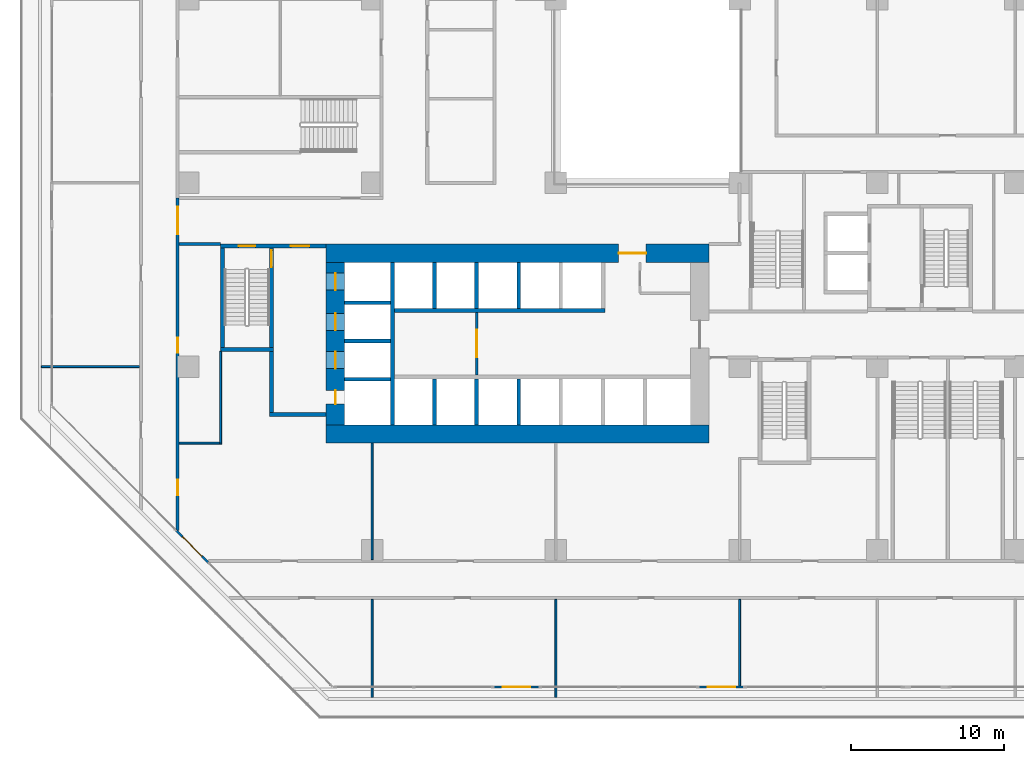
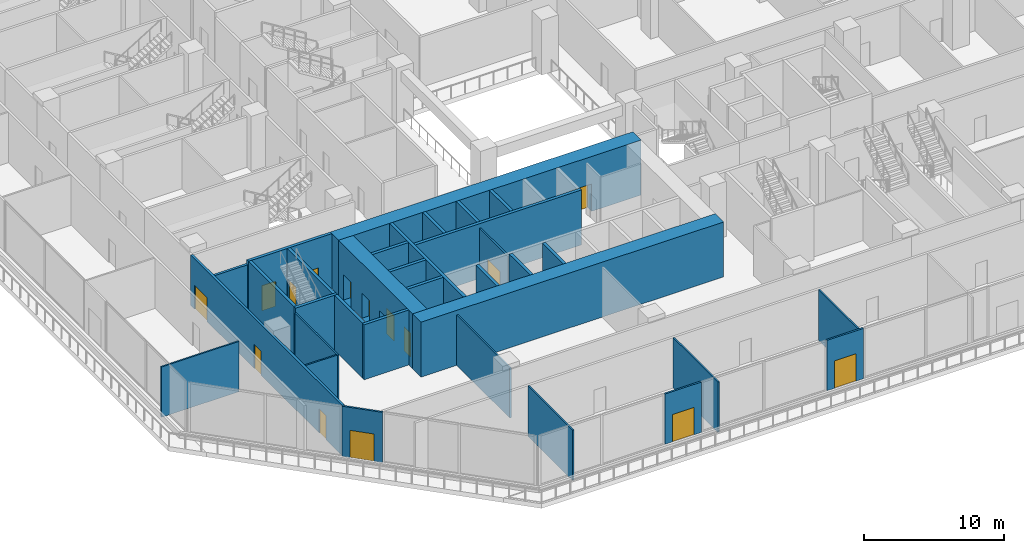
# One storey, part 12 of 26: 33 walls, 15 doors, 15 openings.
"""IFC4 building model written with IfcOpenShell, lengths in metres."""

from ifc_helpers import new_model, si_unit, direction, frame, frame_2d, origin, place, context, subcontext, project, spatial, rectangle, extrude, material, layer, layer_set, type_object, element, fill, save


model = new_model("IFC4")

# Units and contexts
model_context = context("Model", 3, precision=1e-05, world=origin(), true_north=direction((0.0, 1.0)))
body_context = subcontext(model_context, "Body", "Model", "MODEL_VIEW")
ifc_project = project(units=[si_unit("LENGTHUNIT", "METRE"), si_unit("AREAUNIT", "SQUARE_METRE"), si_unit("VOLUMEUNIT", "CUBIC_METRE"), si_unit("PLANEANGLEUNIT", "RADIAN"), si_unit("MASSUNIT", "GRAM", prefix="KILO")], contexts=[model_context])

# Site, building, storey
site_placement = place(None, origin())
site = spatial("IfcSite", under=ifc_project, at=site_placement, CompositionType="ELEMENT")
building_placement = place(site_placement, origin())
building = spatial("IfcBuilding", under=site, at=building_placement, Name="Chenar Terraces", CompositionType="ELEMENT")
storey_placement = place(building_placement, frame((0.0, 0.0, 16.800048828125)))
storey = spatial("IfcBuildingStorey", under=building, at=storey_placement, Name="L03", CompositionType="ELEMENT", Elevation=16.800048828125)

# Walls
ifc_material_1 = material(Name="Gypsum board on steel studs with mineral wool", Category="steel")
ifc_layer_1 = layer(ifc_material_1, 0.125)
ifc_layer_set_1 = layer_set([ifc_layer_1], Name="Gypsum board on steel studs with mineral wool")
wall_type_1 = type_object("IfcWallType", Name="Acoustic partition 125", PredefinedType="PARTITIONING", material=ifc_layer_set_1)
wall_1_placement = place(storey_placement, frame((-9.60009765625, 12.0, 0.0), z_axis=(0.0, 0.0, 1.0), x_axis=(1.0, 0.0, 0.0)))
element("IfcWall", 1, at=wall_1_placement, inside=storey, type_object=wall_type_1, Name="Partition L03-001", PredefinedType="PARTITIONING", context=body_context, shape_type="SweptSolid", body=[
    extrude(rectangle(XDim=6.400146484375, YDim=0.125, at=frame_2d((3.2001953125, 0.0))), origin(), (0.0, 0.0, 1.0), 4.39990234375),
])
wall_2_placement = place(storey_placement, frame((-0.60009765625, 7.0, 0.0), z_axis=(0.0, 0.0, 1.0), x_axis=(1.0, 0.0, 0.0)))
element("IfcWall", 2, at=wall_2_placement, inside=storey, type_object=wall_type_1, Name="Partition L03-019", PredefinedType="PARTITIONING", context=body_context, shape_type="SweptSolid", body=[
    extrude(rectangle(XDim=2.63818359375, YDim=0.125, at=frame_2d((1.319091796875, 0.0))), origin(), (0.0, 0.0, 1.0), 4.39990234375),
])
wall_3_placement = place(storey_placement, frame((2.10009765625, 6.93798828125, 0.0), z_axis=(0.0, 0.0, 1.0), x_axis=(0.0, 1.0, 0.0)))
element("IfcWall", 3, at=wall_3_placement, inside=storey, type_object=wall_type_1, Name="Partition L03-031", PredefinedType="PARTITIONING", context=body_context, shape_type="SweptSolid", body=[
    extrude(rectangle(XDim=6.06201171875, YDim=0.125, at=frame_2d((3.031005859375, 0.0))), origin(), (0.0, 0.0, 1.0), 4.39990234375),
])
wall_4_placement = place(storey_placement, frame((12.0, -9.60009765625, 0.0), z_axis=(0.0, 0.0, 1.0), x_axis=(0.0, 1.0, 0.0)))
element("IfcWall", 4, at=wall_4_placement, inside=storey, type_object=wall_type_1, Name="Partition L03-038", PredefinedType="PARTITIONING", context=body_context, shape_type="SweptSolid", body=[
    extrude(rectangle(XDim=6.400146484375, YDim=0.125, at=frame_2d((3.2001953125, 0.0))), origin(), (0.0, 0.0, 1.0), 4.39990234375),
])
wall_5_placement = place(storey_placement, frame((12.0, -0.60009765625, 0.0), z_axis=(0.0, 0.0, 1.0), x_axis=(0.0, 1.0, 0.0)))
element("IfcWall", 5, at=wall_5_placement, inside=storey, type_object=wall_type_1, Name="Partition L03-039", PredefinedType="PARTITIONING", context=body_context, shape_type="SweptSolid", body=[
    extrude(rectangle(XDim=7.60009765625, YDim=0.125, at=frame_2d((3.800048828125, 0.0))), origin(), (0.0, 0.0, 1.0), 4.39990234375),
])
wall_6_placement = place(storey_placement, frame((24.0, -9.60009765625, 0.0), z_axis=(0.0, 0.0, 1.0), x_axis=(0.0, 1.0, 0.0)))
element("IfcWall", 6, at=wall_6_placement, inside=storey, type_object=wall_type_1, Name="Partition L03-065", PredefinedType="PARTITIONING", context=body_context, shape_type="SweptSolid", body=[
    extrude(rectangle(XDim=6.400146484375, YDim=0.125, at=frame_2d((3.2001953125, 0.0))), origin(), (0.0, 0.0, 1.0), 4.39990234375),
])
wall_7_placement = place(storey_placement, frame((36.0, -8.85107421875, 0.0), z_axis=(0.0, 0.0, 1.0), x_axis=(0.0, 1.0, 0.0)))
element("IfcWall", 7, at=wall_7_placement, inside=storey, type_object=wall_type_1, Name="Partition L03-076", PredefinedType="PARTITIONING", context=body_context, shape_type="SweptSolid", body=[
    extrude(rectangle(XDim=5.651123046875, YDim=0.125, at=frame_2d((2.82568359375, 0.0))), origin(), (0.0, 0.0, 1.0), 4.39990234375),
])

# Wall, opening, door
ifc_material_2 = material(Name="Gypsum board on steel studs", Category="steel")
ifc_layer_2 = layer(ifc_material_2, 0.14990234375)
ifc_layer_set_2 = layer_set([ifc_layer_2], Name="Gypsum board on steel studs")
wall_type_2 = type_object("IfcWallType", Name="Core partition 150 gypsum board", PredefinedType="PARTITIONING", material=ifc_layer_set_2)
wall_8_placement = place(storey_placement, frame((18.824951171875, 11.449951171875, 0.0), z_axis=(0.0, 0.0, 1.0), x_axis=(0.0, 1.0, 0.0)))
wall_8 = element("IfcWall", 8, at=wall_8_placement, inside=storey, type_object=wall_type_2, Name="Core partition CP1 lift lobby smoke stop", PredefinedType="PARTITIONING", context=body_context, shape_type="SweptSolid", body=[
    extrude(rectangle(XDim=4.10009765625, YDim=0.14990234375, at=frame_2d((2.050048828125, 0.0))), origin(), (0.0, 0.0, 1.0), 4.39990234375),
])
opening_1_placement = place(wall_8_placement, frame((1.14990234375, 0.0, 0.0)))
opening_1 = element("IfcOpeningElement", 9, at=opening_1_placement, cuts=wall_8, Name="Opening DL03-C12", PredefinedType="OPENING", context=body_context, shape_type="SweptSolid", body=[
    extrude(rectangle(XDim=1.800048828125, YDim=2.39990234375, at=frame_2d((0.89990234375, 1.199951171875))), frame((0.0, 0.0849609375, 0.0), z_axis=(0.0, -1.0, 0.0), x_axis=(1.0, 0.0, 0.0)), (0.0, 0.0, 1.0), 0.169921875),
])
ifc_material_3 = material(Name="Steel-framed fire-resisting door leaf", Category="steel")
door_type_1 = type_object("IfcDoorType", Name="Core entrance double fire door FD60 1800 x 2400", OperationType="DOUBLE_DOOR_SINGLE_SWING", PredefinedType="DOOR", material=ifc_material_3)
door_1_placement = place(opening_1_placement, origin())
door_1 = element("IfcDoor", 10, at=door_1_placement, inside=storey, type_object=door_type_1, Name="Core door DL03-C12", OperationType="DOUBLE_DOOR_SINGLE_SWING", OverallHeight=2.39990234375, OverallWidth=1.800048828125, PredefinedType="DOOR", context=body_context, shape_type="SweptSolid", body=[
    extrude(rectangle(XDim=1.800048828125, YDim=2.39990234375, at=frame_2d((0.89990234375, 1.199951171875))), frame((0.0, 0.02490234375, 0.0), z_axis=(0.0, -1.0, 0.0), x_axis=(1.0, 0.0, 0.0)), (0.0, 0.0, 1.0), 0.050048828125),
])
fill(opening_1, door_1)

# Wall
ifc_material_4 = material(Name="Concrete C70/85", Category="concrete")
ifc_layer_3 = layer(ifc_material_4, 1.199951171875)
ifc_layer_set_3 = layer_set([ifc_layer_3], Name="Concrete C70/85")
wall_type_3 = type_object("IfcWallType", Name="Core wall 1200 Concrete C70/85", PredefinedType="SHEAR", material=ifc_layer_set_3)
wall_9_placement = place(storey_placement, frame((9.0, 7.60009765625, 0.0), z_axis=(0.0, 0.0, 1.0), x_axis=(1.0, 0.0, 0.0)))
element("IfcWall", 11, at=wall_9_placement, inside=storey, type_object=wall_type_3, Name="Core wall S L03", PredefinedType="SHEAR", context=body_context, shape_type="SweptSolid", body=[
    extrude(rectangle(XDim=25.0, YDim=1.199951171875, at=frame_2d((12.5, 0.0))), origin(), (0.0, 0.0, 1.0), 4.800048828125),
])

# Wall, opening, door
wall_10_placement = place(storey_placement, frame((9.0, 19.39990234375, 0.0), z_axis=(0.0, 0.0, 1.0), x_axis=(1.0, 0.0, 0.0)))
wall_10 = element("IfcWall", 12, at=wall_10_placement, inside=storey, type_object=wall_type_3, Name="Core wall N L03", PredefinedType="SHEAR", context=body_context, shape_type="SweptSolid", body=[
    extrude(rectangle(XDim=25.0, YDim=1.199951171875, at=frame_2d((12.5, 0.0))), origin(), (0.0, 0.0, 1.0), 4.800048828125),
])
opening_2_placement = place(wall_10_placement, frame((19.10009765625, 0.0, 0.0)))
opening_2 = element("IfcOpeningElement", 13, at=opening_2_placement, cuts=wall_10, Name="Opening DL03-C2", PredefinedType="OPENING", context=body_context, shape_type="SweptSolid", body=[
    extrude(rectangle(XDim=1.800048828125, YDim=2.39990234375, at=frame_2d((0.89990234375, 1.199951171875))), frame((0.0, 0.60986328125, 0.0), z_axis=(0.0, -1.0, 0.0), x_axis=(1.0, 0.0, 0.0)), (0.0, 0.0, 1.0), 1.219970703125),
])
door_2_placement = place(opening_2_placement, origin())
door_2 = element("IfcDoor", 14, at=door_2_placement, inside=storey, type_object=door_type_1, Name="Core door DL03-C2", OperationType="DOUBLE_DOOR_SINGLE_SWING", OverallHeight=2.39990234375, OverallWidth=1.800048828125, PredefinedType="DOOR", context=body_context, shape_type="SweptSolid", body=[
    extrude(rectangle(XDim=1.800048828125, YDim=2.39990234375, at=frame_2d((0.89990234375, 1.199951171875))), frame((0.0, 0.02490234375, 0.0), z_axis=(0.0, -1.0, 0.0), x_axis=(1.0, 0.0, 0.0)), (0.0, 0.0, 1.0), 0.050048828125),
])
fill(opening_2, door_2)

# Wall, openings, doors
wall_11_placement = place(storey_placement, frame((9.60009765625, 8.199951171875, 0.0), z_axis=(0.0, 0.0, 1.0), x_axis=(0.0, 1.0, 0.0)))
wall_11 = element("IfcWall", 15, at=wall_11_placement, inside=storey, type_object=wall_type_3, Name="Core wall W L03", PredefinedType="SHEAR", context=body_context, shape_type="SweptSolid", body=[
    extrude(rectangle(XDim=10.60009765625, YDim=1.199951171875, at=frame_2d((5.300048828125, 0.0))), origin(), (0.0, 0.0, 1.0), 4.800048828125),
])
opening_3_placement = place(wall_11_placement, frame((3.675048828125, 0.0, 0.0)))
opening_3 = element("IfcOpeningElement", 16, at=opening_3_placement, cuts=wall_11, Name="Opening DL03-LD1", PredefinedType="OPENING", context=body_context, shape_type="SweptSolid", body=[
    extrude(rectangle(XDim=1.10009765625, YDim=2.199951171875, at=frame_2d((0.550048828125, 1.10009765625))), frame((0.0, 0.60986328125, 0.0), z_axis=(0.0, -1.0, 0.0), x_axis=(1.0, 0.0, 0.0)), (0.0, 0.0, 1.0), 1.219970703125),
])
opening_4_placement = place(wall_11_placement, frame((6.175048828125, 0.0, 0.0)))
opening_4 = element("IfcOpeningElement", 17, at=opening_4_placement, cuts=wall_11, Name="Opening DL03-LD2", PredefinedType="OPENING", context=body_context, shape_type="SweptSolid", body=[
    extrude(rectangle(XDim=1.10009765625, YDim=2.199951171875, at=frame_2d((0.550048828125, 1.10009765625))), frame((0.0, 0.60986328125, 0.0), z_axis=(0.0, -1.0, 0.0), x_axis=(1.0, 0.0, 0.0)), (0.0, 0.0, 1.0), 1.219970703125),
])
opening_5_placement = place(wall_11_placement, frame((8.800048828125, 0.0, 0.0)))
opening_5 = element("IfcOpeningElement", 18, at=opening_5_placement, cuts=wall_11, Name="Opening DL03-LD3", PredefinedType="OPENING", context=body_context, shape_type="SweptSolid", body=[
    extrude(rectangle(XDim=1.10009765625, YDim=2.199951171875, at=frame_2d((0.550048828125, 1.10009765625))), frame((0.0, 0.60986328125, 0.0), z_axis=(0.0, -1.0, 0.0), x_axis=(1.0, 0.0, 0.0)), (0.0, 0.0, 1.0), 1.219970703125),
])
opening_6_placement = place(wall_11_placement, frame((1.35009765625, 0.0, 0.0)))
opening_6 = element("IfcOpeningElement", 19, at=opening_6_placement, cuts=wall_11, Name="Opening DL03-C4", PredefinedType="OPENING", context=body_context, shape_type="SweptSolid", body=[
    extrude(rectangle(XDim=0.89990234375, YDim=2.10009765625, at=frame_2d((0.449951171875, 1.050048828125))), frame((0.0, 0.60986328125, 0.0), z_axis=(0.0, -1.0, 0.0), x_axis=(1.0, 0.0, 0.0)), (0.0, 0.0, 1.0), 1.219970703125),
])
ifc_material_5 = material(Name="Stainless steel", Category="steel")
door_type_2 = type_object("IfcDoorType", Name="Lift landing door 1100 x 2200 sliding", OperationType="DOUBLE_DOOR_SLIDING", PredefinedType="DOOR", material=ifc_material_5)
door_3_placement = place(opening_3_placement, origin())
door_3 = element("IfcDoor", 20, at=door_3_placement, inside=storey, type_object=door_type_2, Name="Landing door S1", OperationType="DOUBLE_DOOR_SLIDING", OverallHeight=2.199951171875, OverallWidth=1.10009765625, PredefinedType="DOOR", context=body_context, shape_type="SweptSolid", body=[
    extrude(rectangle(XDim=1.10009765625, YDim=2.199951171875, at=frame_2d((0.550048828125, 1.10009765625))), frame((0.0, 0.02490234375, 0.0), z_axis=(0.0, -1.0, 0.0), x_axis=(1.0, 0.0, 0.0)), (0.0, 0.0, 1.0), 0.050048828125),
])
fill(opening_3, door_3)
door_4_placement = place(opening_4_placement, origin())
door_4 = element("IfcDoor", 21, at=door_4_placement, inside=storey, type_object=door_type_2, Name="Landing door F1", OperationType="DOUBLE_DOOR_SLIDING", OverallHeight=2.199951171875, OverallWidth=1.10009765625, PredefinedType="DOOR", context=body_context, shape_type="SweptSolid", body=[
    extrude(rectangle(XDim=1.10009765625, YDim=2.199951171875, at=frame_2d((0.550048828125, 1.10009765625))), frame((0.0, 0.02490234375, 0.0), z_axis=(0.0, -1.0, 0.0), x_axis=(1.0, 0.0, 0.0)), (0.0, 0.0, 1.0), 0.050048828125),
])
fill(opening_4, door_4)
door_5_placement = place(opening_5_placement, origin())
door_5 = element("IfcDoor", 22, at=door_5_placement, inside=storey, type_object=door_type_2, Name="Landing door F2", OperationType="DOUBLE_DOOR_SLIDING", OverallHeight=2.199951171875, OverallWidth=1.10009765625, PredefinedType="DOOR", context=body_context, shape_type="SweptSolid", body=[
    extrude(rectangle(XDim=1.10009765625, YDim=2.199951171875, at=frame_2d((0.550048828125, 1.10009765625))), frame((0.0, 0.02490234375, 0.0), z_axis=(0.0, -1.0, 0.0), x_axis=(1.0, 0.0, 0.0)), (0.0, 0.0, 1.0), 0.050048828125),
])
fill(opening_5, door_5)
ifc_material_6 = material(Name="Steel-framed fire-resisting door leaf", Category="steel")
door_type_3 = type_object("IfcDoorType", Name="Riser fire door FD60 900 x 2100", OperationType="SINGLE_SWING_LEFT", PredefinedType="DOOR", material=ifc_material_6)
door_6_placement = place(opening_6_placement, frame((0.89990234375, 0.0, 0.0), z_axis=(0.0, 0.0, 1.0), x_axis=(-1.0, 0.0, 0.0)))
door_6 = element("IfcDoor", 23, at=door_6_placement, inside=storey, type_object=door_type_3, Name="Riser door DL03-C4", OperationType="SINGLE_SWING_RIGHT", OverallHeight=2.10009765625, OverallWidth=0.89990234375, PredefinedType="DOOR", context=body_context, shape_type="SweptSolid", body=[
    extrude(rectangle(XDim=0.89990234375, YDim=2.10009765625, at=frame_2d((0.449951171875, 1.050048828125))), frame((0.0, 0.02490234375, 0.0), z_axis=(0.0, -1.0, 0.0), x_axis=(1.0, 0.0, 0.0)), (0.0, 0.0, 1.0), 0.050048828125),
])
fill(opening_6, door_6)

# Walls
ifc_material_7 = material(Name="Concrete C70/85", Category="concrete")
ifc_layer_4 = layer(ifc_material_7, 0.25)
ifc_layer_set_4 = layer_set([ifc_layer_4], Name="Concrete C70/85")
wall_type_4 = type_object("IfcWallType", Name="Core wall 250 Concrete C70/85", PredefinedType="SHEAR", material=ifc_layer_set_4)
wall_12_placement = place(storey_placement, frame((13.324951171875, 8.199951171875, 0.0), z_axis=(0.0, 0.0, 1.0), x_axis=(0.0, 1.0, 0.0)))
element("IfcWall", 24, at=wall_12_placement, inside=storey, type_object=wall_type_4, Name="Core wall WI L03", PredefinedType="SHEAR", context=body_context, shape_type="SweptSolid", body=[
    extrude(rectangle(XDim=10.60009765625, YDim=0.25, at=frame_2d((5.300048828125, 0.0))), origin(), (0.0, 0.0, 1.0), 4.800048828125),
])
wall_13_placement = place(storey_placement, frame((13.449951171875, 15.675048828125, 0.0), z_axis=(0.0, 0.0, 1.0), x_axis=(1.0, 0.0, 0.0)))
element("IfcWall", 25, at=wall_13_placement, inside=storey, type_object=wall_type_4, Name="Core wall NF L03", PredefinedType="SHEAR", context=body_context, shape_type="SweptSolid", body=[
    extrude(rectangle(XDim=13.75, YDim=0.25, at=frame_2d((6.875, 0.0))), origin(), (0.0, 0.0, 1.0), 4.800048828125),
])
for number, where, z_axis, x_axis, name in (
    (26, (10.199951171875, 11.175048828125, 0.0), (0.0, 0.0, 1.0), (1.0, 0.0, 0.0), "Core wall HW0 L03"),
    (27, (10.199951171875, 13.675048828125, 0.0), (0.0, 0.0, 1.0), (1.0, 0.0, 0.0), "Core wall HW1 L03"),
    (28, (10.199951171875, 16.175048828125, 0.0), (0.0, 0.0, 1.0), (1.0, 0.0, 0.0), "Core wall HW2 L03"),
    (29, (16.074951171875, 8.199951171875, 0.0), (0.0, 0.0, 1.0), (0.0, 1.0, 0.0), "Core wall SS0 L03"),
    (30, (18.824951171875, 8.199951171875, 0.0), (0.0, 0.0, 1.0), (0.0, 1.0, 0.0), "Core wall SS1 L03"),
    (31, (21.574951171875, 8.199951171875, 0.0), (0.0, 0.0, 1.0), (0.0, 1.0, 0.0), "Core wall SS2 L03"),
    (32, (16.074951171875, 15.800048828125, 0.0), (0.0, 0.0, 1.0), (0.0, 1.0, 0.0), "Core wall NS0 L03"),
    (33, (18.824951171875, 15.800048828125, 0.0), (0.0, 0.0, 1.0), (0.0, 1.0, 0.0), "Core wall NS1 L03"),
    (34, (21.574951171875, 15.800048828125, 0.0), (0.0, 0.0, 1.0), (0.0, 1.0, 0.0), "Core wall NS2 L03"),
):
    element("IfcWall", number, at=place(storey_placement, frame(where, z_axis=z_axis, x_axis=x_axis)), inside=storey, type_object=wall_type_4, Name=name, PredefinedType="SHEAR", context=body_context, shape_type="SweptSolid", body=[
        extrude(rectangle(XDim=3.0, YDim=0.25, at=frame_2d((1.5, 0.0))), origin(), (0.0, 0.0, 1.0), 4.800048828125),
    ])

# Wall, openings, doors
wall_14_placement = place(storey_placement, frame((2.10009765625, 19.875, 0.0), z_axis=(0.0, 0.0, 1.0), x_axis=(1.0, 0.0, 0.0)))
wall_14 = element("IfcWall", 35, at=wall_14_placement, inside=storey, type_object=wall_type_4, Name="Core wall A_N L03", PredefinedType="SHEAR", context=body_context, shape_type="SweptSolid", body=[
    extrude(rectangle(XDim=6.89990234375, YDim=0.25, at=frame_2d((3.449951171875, 0.0))), origin(), (0.0, 0.0, 1.0), 4.800048828125),
])
opening_7_placement = place(wall_14_placement, frame((1.175048828125, 0.0, 0.0)))
opening_7 = element("IfcOpeningElement", 36, at=opening_7_placement, cuts=wall_14, Name="Opening DL03-C5", PredefinedType="OPENING", context=body_context, shape_type="SweptSolid", body=[
    extrude(rectangle(XDim=1.10009765625, YDim=2.199951171875, at=frame_2d((0.550048828125, 1.10009765625))), frame((0.0, 0.135009765625, 0.0), z_axis=(0.0, -1.0, 0.0), x_axis=(1.0, 0.0, 0.0)), (0.0, 0.0, 1.0), 0.27001953125),
])
opening_8_placement = place(wall_14_placement, frame((4.60009765625, 0.0, 0.0)))
opening_8 = element("IfcOpeningElement", 37, at=opening_8_placement, cuts=wall_14, Name="Opening DL03-C6", PredefinedType="OPENING", context=body_context, shape_type="SweptSolid", body=[
    extrude(rectangle(XDim=1.199951171875, YDim=2.199951171875, at=frame_2d((0.60009765625, 1.10009765625))), frame((0.0, 0.135009765625, 0.0), z_axis=(0.0, -1.0, 0.0), x_axis=(1.0, 0.0, 0.0)), (0.0, 0.0, 1.0), 0.27001953125),
])
ifc_material_8 = material(Name="Steel-framed fire-resisting door leaf", Category="steel")
door_type_4 = type_object("IfcDoorType", Name="Lobby fire door FD60 1200 x 2200", OperationType="SINGLE_SWING_LEFT", PredefinedType="DOOR", material=ifc_material_8)
door_7_placement = place(opening_8_placement, frame((1.199951171875, 0.0, 0.0), z_axis=(0.0, 0.0, 1.0), x_axis=(-1.0, 0.0, 0.0)))
door_7 = element("IfcDoor", 38, at=door_7_placement, inside=storey, type_object=door_type_4, Name="Core door DL03-C6", OperationType="SINGLE_SWING_LEFT", OverallHeight=2.199951171875, OverallWidth=1.199951171875, PredefinedType="DOOR", context=body_context, shape_type="SweptSolid", body=[
    extrude(rectangle(XDim=1.199951171875, YDim=2.199951171875, at=frame_2d((0.60009765625, 1.10009765625))), frame((0.0, 0.02490234375, 0.0), z_axis=(0.0, -1.0, 0.0), x_axis=(1.0, 0.0, 0.0)), (0.0, 0.0, 1.0), 0.050048828125),
])
fill(opening_8, door_7)
ifc_material_9 = material(Name="Steel-framed fire-resisting door leaf", Category="steel")
door_type_5 = type_object("IfcDoorType", Name="Stair fire door FD60 1100 x 2200", OperationType="SINGLE_SWING_LEFT", PredefinedType="DOOR", material=ifc_material_9)
door_8_placement = place(opening_7_placement, origin())
door_8 = element("IfcDoor", 39, at=door_8_placement, inside=storey, type_object=door_type_5, Name="Stair door DL03-C5", OperationType="SINGLE_SWING_LEFT", OverallHeight=2.199951171875, OverallWidth=1.10009765625, PredefinedType="DOOR", context=body_context, shape_type="SweptSolid", body=[
    extrude(rectangle(XDim=1.10009765625, YDim=2.199951171875, at=frame_2d((0.550048828125, 1.10009765625))), frame((0.0, 0.02490234375, 0.0), z_axis=(0.0, -1.0, 0.0), x_axis=(1.0, 0.0, 0.0)), (0.0, 0.0, 1.0), 0.050048828125),
])
fill(opening_7, door_8)

# Walls
wall_15_placement = place(storey_placement, frame((2.10009765625, 13.125, 0.0), z_axis=(0.0, 0.0, 1.0), x_axis=(1.0, 0.0, 0.0)))
element("IfcWall", 40, at=wall_15_placement, inside=storey, type_object=wall_type_4, Name="Core wall ST1_S L03", PredefinedType="SHEAR", context=body_context, shape_type="SweptSolid", body=[
    extrude(rectangle(XDim=3.449951171875, YDim=0.25, at=frame_2d((1.72509765625, 0.0))), origin(), (0.0, 0.0, 1.0), 4.800048828125),
])
wall_16_placement = place(storey_placement, frame((2.22509765625, 13.25, 0.0), z_axis=(0.0, 0.0, 1.0), x_axis=(0.0, 1.0, 0.0)))
element("IfcWall", 41, at=wall_16_placement, inside=storey, type_object=wall_type_4, Name="Core wall ST1_W L03", PredefinedType="SHEAR", context=body_context, shape_type="SweptSolid", body=[
    extrude(rectangle(XDim=6.5, YDim=0.25, at=frame_2d((3.25, 0.0))), origin(), (0.0, 0.0, 1.0), 4.800048828125),
])

# Wall, opening, door
wall_17_placement = place(storey_placement, frame((5.425048828125, 13.25, 0.0), z_axis=(0.0, 0.0, 1.0), x_axis=(0.0, 1.0, 0.0)))
wall_17 = element("IfcWall", 42, at=wall_17_placement, inside=storey, type_object=wall_type_4, Name="Core wall ST1_E L03", PredefinedType="SHEAR", context=body_context, shape_type="SweptSolid", body=[
    extrude(rectangle(XDim=6.5, YDim=0.25, at=frame_2d((3.25, 0.0))), origin(), (0.0, 0.0, 1.0), 4.800048828125),
])
opening_9_placement = place(wall_17_placement, frame((5.25, 0.0, 0.0)))
opening_9 = element("IfcOpeningElement", 43, at=opening_9_placement, cuts=wall_17, Name="Opening DL03-C3", PredefinedType="OPENING", context=body_context, shape_type="SweptSolid", body=[
    extrude(rectangle(XDim=1.10009765625, YDim=2.199951171875, at=frame_2d((0.550048828125, 1.10009765625))), frame((0.0, 0.135009765625, 0.0), z_axis=(0.0, -1.0, 0.0), x_axis=(1.0, 0.0, 0.0)), (0.0, 0.0, 1.0), 0.27001953125),
])
door_9_placement = place(opening_9_placement, origin())
door_9 = element("IfcDoor", 44, at=door_9_placement, inside=storey, type_object=door_type_5, Name="Stair door DL03-C3", OperationType="SINGLE_SWING_RIGHT", OverallHeight=2.199951171875, OverallWidth=1.10009765625, PredefinedType="DOOR", context=body_context, shape_type="SweptSolid", body=[
    extrude(rectangle(XDim=1.10009765625, YDim=2.199951171875, at=frame_2d((0.550048828125, 1.10009765625))), frame((0.0, 0.02490234375, 0.0), z_axis=(0.0, -1.0, 0.0), x_axis=(1.0, 0.0, 0.0)), (0.0, 0.0, 1.0), 0.050048828125),
])
fill(opening_9, door_9)

# Walls
wall_18_placement = place(storey_placement, frame((5.300048828125, 8.875, 0.0), z_axis=(0.0, 0.0, 1.0), x_axis=(1.0, 0.0, 0.0)))
element("IfcWall", 45, at=wall_18_placement, inside=storey, type_object=wall_type_4, Name="Core wall FFL_S L03", PredefinedType="SHEAR", context=body_context, shape_type="SweptSolid", body=[
    extrude(rectangle(XDim=3.699951171875, YDim=0.25, at=frame_2d((1.85009765625, 0.0))), origin(), (0.0, 0.0, 1.0), 4.800048828125),
])
wall_19_placement = place(storey_placement, frame((5.425048828125, 9.0, 0.0), z_axis=(0.0, 0.0, 1.0), x_axis=(0.0, 1.0, 0.0)))
element("IfcWall", 46, at=wall_19_placement, inside=storey, type_object=wall_type_4, Name="Core wall FFL_W L03", PredefinedType="SHEAR", context=body_context, shape_type="SweptSolid", body=[
    extrude(rectangle(XDim=4.0, YDim=0.25, at=frame_2d((2.0, 0.0))), origin(), (0.0, 0.0, 1.0), 4.800048828125),
])

# Wall, openings, doors
ifc_material_10 = material(Name="Gypsum board on steel studs with fire boards", Category="steel")
ifc_layer_5 = layer(ifc_material_10, 0.199951171875)
ifc_layer_set_5 = layer_set([ifc_layer_5], Name="Gypsum board on steel studs with fire boards")
wall_type_5 = type_object("IfcWallType", Name="Corridor wall 200", PredefinedType="PARTITIONING", material=ifc_layer_set_5)
wall_20_placement = place(storey_placement, frame((-0.699951171875, 1.303955078125, 0.0), z_axis=(0.0, 0.0, 1.0), x_axis=(0.0, 1.0, 0.0)))
wall_20 = element("IfcWall", 47, at=wall_20_placement, inside=storey, type_object=wall_type_5, Name="Partition L03-010", PredefinedType="PARTITIONING", context=body_context, shape_type="SweptSolid", body=[
    extrude(rectangle(XDim=21.696044921875, YDim=0.199951171875, at=frame_2d((10.84814453125, 0.0))), origin(), (0.0, 0.0, 1.0), 4.39990234375),
])
opening_10_placement = place(wall_20_placement, frame((19.345947265625, 0.0, 0.0)))
opening_10 = element("IfcOpeningElement", 48, at=opening_10_placement, cuts=wall_20, Name="Opening DL03-37", PredefinedType="OPENING", context=body_context, shape_type="SweptSolid", body=[
    extrude(rectangle(XDim=1.800048828125, YDim=2.10009765625, at=frame_2d((0.89990234375, 1.050048828125))), frame((0.0, 0.10986328125, 0.0), z_axis=(0.0, -1.0, 0.0), x_axis=(1.0, 0.0, 0.0)), (0.0, 0.0, 1.0), 0.219970703125),
])
opening_11_placement = place(wall_20_placement, frame((11.595947265625, 0.0, 0.0)))
opening_11 = element("IfcOpeningElement", 49, at=opening_11_placement, cuts=wall_20, Name="Opening DL03-39", PredefinedType="OPENING", context=body_context, shape_type="SweptSolid", body=[
    extrude(rectangle(XDim=1.0, YDim=2.10009765625, at=frame_2d((0.5, 1.050048828125))), frame((0.0, 0.10986328125, 0.0), z_axis=(0.0, -1.0, 0.0), x_axis=(1.0, 0.0, 0.0)), (0.0, 0.0, 1.0), 0.219970703125),
])
opening_12_placement = place(wall_20_placement, frame((2.294921875, 0.0, 0.0)))
opening_12 = element("IfcOpeningElement", 50, at=opening_12_placement, cuts=wall_20, Name="Opening DL03-41", PredefinedType="OPENING", context=body_context, shape_type="SweptSolid", body=[
    extrude(rectangle(XDim=1.0, YDim=2.10009765625, at=frame_2d((0.5, 1.050048828125))), frame((0.0, 0.10986328125, 0.0), z_axis=(0.0, -1.0, 0.0), x_axis=(1.0, 0.0, 0.0)), (0.0, 0.0, 1.0), 0.219970703125),
])
ifc_material_11 = material(Name="Steel-framed fire-resisting door leaf", Category="steel")
door_type_6 = type_object("IfcDoorType", Name="Fire door FD60 1000 x 2100", OperationType="SINGLE_SWING_LEFT", PredefinedType="DOOR", material=ifc_material_11)
door_10_placement = place(opening_11_placement, frame((1.0, 0.0, 0.0), z_axis=(0.0, 0.0, 1.0), x_axis=(-1.0, 0.0, 0.0)))
door_10 = element("IfcDoor", 51, at=door_10_placement, inside=storey, type_object=door_type_6, Name="Door DL03-39", OperationType="SINGLE_SWING_RIGHT", OverallHeight=2.10009765625, OverallWidth=1.0, PredefinedType="DOOR", context=body_context, shape_type="SweptSolid", body=[
    extrude(rectangle(XDim=1.0, YDim=2.10009765625, at=frame_2d((0.5, 1.050048828125))), frame((0.0, 0.02490234375, 0.0), z_axis=(0.0, -1.0, 0.0), x_axis=(1.0, 0.0, 0.0)), (0.0, 0.0, 1.0), 0.050048828125),
])
fill(opening_11, door_10)
door_11_placement = place(opening_12_placement, frame((1.0, 0.0, 0.0), z_axis=(0.0, 0.0, 1.0), x_axis=(-1.0, 0.0, 0.0)))
door_11 = element("IfcDoor", 52, at=door_11_placement, inside=storey, type_object=door_type_6, Name="Door DL03-41", OperationType="SINGLE_SWING_RIGHT", OverallHeight=2.10009765625, OverallWidth=1.0, PredefinedType="DOOR", context=body_context, shape_type="SweptSolid", body=[
    extrude(rectangle(XDim=1.0, YDim=2.10009765625, at=frame_2d((0.5, 1.050048828125))), frame((0.0, 0.02490234375, 0.0), z_axis=(0.0, -1.0, 0.0), x_axis=(1.0, 0.0, 0.0)), (0.0, 0.0, 1.0), 0.050048828125),
])
fill(opening_12, door_11)
ifc_material_12 = material(Name="Steel-framed fire-resisting door leaf", Category="steel")
door_type_7 = type_object("IfcDoorType", Name="Fire double door FD60 1800 x 2100", OperationType="DOUBLE_DOOR_SINGLE_SWING", PredefinedType="DOOR", material=ifc_material_12)
door_12_placement = place(opening_10_placement, origin())
door_12 = element("IfcDoor", 53, at=door_12_placement, inside=storey, type_object=door_type_7, Name="Door DL03-37", OperationType="DOUBLE_DOOR_SINGLE_SWING", OverallHeight=2.10009765625, OverallWidth=1.800048828125, PredefinedType="DOOR", context=body_context, shape_type="SweptSolid", body=[
    extrude(rectangle(XDim=1.800048828125, YDim=2.10009765625, at=frame_2d((0.89990234375, 1.050048828125))), frame((0.0, 0.02490234375, 0.0), z_axis=(0.0, -1.0, 0.0), x_axis=(1.0, 0.0, 0.0)), (0.0, 0.0, 1.0), 0.050048828125),
])
fill(opening_10, door_12)

# Wall
wall_21_placement = place(storey_placement, frame((-0.60009765625, 20.0, 0.0), z_axis=(0.0, 0.0, 1.0), x_axis=(1.0, 0.0, 0.0)))
element("IfcWall", 54, at=wall_21_placement, inside=storey, type_object=wall_type_5, Name="Partition L03-020", PredefinedType="PARTITIONING", context=body_context, shape_type="SweptSolid", body=[
    extrude(rectangle(XDim=2.7001953125, YDim=0.199951171875, at=frame_2d((1.35009765625, 0.0))), origin(), (0.0, 0.0, 1.0), 4.39990234375),
])

# Wall, opening, door
ifc_material_13 = material(Name="Aluminium framed glazing", Category="aluminium")
ifc_layer_6 = layer(ifc_material_13, 0.14990234375)
ifc_layer_set_6 = layer_set([ifc_layer_6], Name="Aluminium framed glazing")
wall_type_6 = type_object("IfcWallType", Name="Podium glazed wall 150", PredefinedType="SOLIDWALL", material=ifc_layer_set_6)
wall_22_placement = place(storey_placement, frame((-0.81103515625, 1.310302734375, 0.0), z_axis=(0.0, 0.0, 1.0), x_axis=(0.707106781187, -0.707106781187, 0.0)))
wall_22 = element("IfcWall", 55, at=wall_22_placement, inside=storey, type_object=wall_type_6, Name="Podium glazed wall", PredefinedType="SOLIDWALL", context=body_context, shape_type="SweptSolid", body=[
    extrude(rectangle(XDim=3.0, YDim=0.14990234375, at=frame_2d((1.5, 0.0))), origin(), (0.0, 0.0, 1.0), 4.39990234375),
])
opening_13_placement = place(wall_22_placement, frame((0.60009765625, 0.0, 0.0)))
opening_13 = element("IfcOpeningElement", 56, at=opening_13_placement, cuts=wall_22, Name="Opening DL03-T1", PredefinedType="OPENING", context=body_context, shape_type="SweptSolid", body=[
    extrude(rectangle(XDim=1.800048828125, YDim=2.39990234375, at=frame_2d((0.89990234375, 1.199951171875))), frame((0.0, 0.0849609375, 0.0), z_axis=(0.0, -1.0, 0.0), x_axis=(1.0, 0.0, 0.0)), (0.0, 0.0, 1.0), 0.169921875),
])
ifc_material_14 = material(Name="Low emissivity double glazing, aluminium frame", Category="aluminium")
door_type_8 = type_object("IfcDoorType", Name="Terrace glazed double door 1800 x 2400", OperationType="DOUBLE_DOOR_SINGLE_SWING", PredefinedType="DOOR", material=ifc_material_14)
door_13_placement = place(opening_13_placement, frame((1.800048828125, 0.0, 0.0), z_axis=(0.0, 0.0, 1.0), x_axis=(-1.0, 0.0, 0.0)))
door_13 = element("IfcDoor", 57, at=door_13_placement, inside=storey, type_object=door_type_8, Name="Terrace glazed door", OperationType="DOUBLE_DOOR_SINGLE_SWING", OverallHeight=2.39990234375, OverallWidth=1.800048828125, PredefinedType="DOOR", context=body_context, shape_type="SweptSolid", body=[
    extrude(rectangle(XDim=1.800048828125, YDim=2.39990234375, at=frame_2d((0.89990234375, 1.199951171875))), frame((0.0, 0.02490234375, 0.0), z_axis=(0.0, -1.0, 0.0), x_axis=(1.0, 0.0, 0.0)), (0.0, 0.0, 1.0), 0.050048828125),
])
fill(opening_13, door_13)

wall_23_placement = place(storey_placement, frame((19.926025390625, -8.925048828125, 0.0), z_axis=(0.0, 0.0, 1.0), x_axis=(1.0, 0.0, 0.0)))
wall_23 = element("IfcWall", 58, at=wall_23_placement, inside=storey, type_object=wall_type_6, Name="Podium glazed wall", PredefinedType="SOLIDWALL", context=body_context, shape_type="SweptSolid", body=[
    extrude(rectangle(XDim=3.0, YDim=0.14990234375, at=frame_2d((1.5, 0.0))), origin(), (0.0, 0.0, 1.0), 4.39990234375),
])
opening_14_placement = place(wall_23_placement, frame((0.60009765625, 0.0, 0.0)))
opening_14 = element("IfcOpeningElement", 59, at=opening_14_placement, cuts=wall_23, Name="Opening DL03-T1", PredefinedType="OPENING", context=body_context, shape_type="SweptSolid", body=[
    extrude(rectangle(XDim=1.800048828125, YDim=2.39990234375, at=frame_2d((0.89990234375, 1.199951171875))), frame((0.0, 0.0849609375, 0.0), z_axis=(0.0, -1.0, 0.0), x_axis=(1.0, 0.0, 0.0)), (0.0, 0.0, 1.0), 0.169921875),
])
door_14_placement = place(opening_14_placement, origin())
door_14 = element("IfcDoor", 60, at=door_14_placement, inside=storey, type_object=door_type_8, Name="Terrace glazed door", OperationType="DOUBLE_DOOR_SINGLE_SWING", OverallHeight=2.39990234375, OverallWidth=1.800048828125, PredefinedType="DOOR", context=body_context, shape_type="SweptSolid", body=[
    extrude(rectangle(XDim=1.800048828125, YDim=2.39990234375, at=frame_2d((0.89990234375, 1.199951171875))), frame((0.0, 0.02490234375, 0.0), z_axis=(0.0, -1.0, 0.0), x_axis=(1.0, 0.0, 0.0)), (0.0, 0.0, 1.0), 0.050048828125),
])
fill(opening_14, door_14)

wall_24_placement = place(storey_placement, frame((33.30859375, -8.925048828125, 0.0), z_axis=(0.0, 0.0, 1.0), x_axis=(1.0, 0.0, 0.0)))
wall_24 = element("IfcWall", 61, at=wall_24_placement, inside=storey, type_object=wall_type_6, Name="Podium glazed wall", PredefinedType="SOLIDWALL", context=body_context, shape_type="SweptSolid", body=[
    extrude(rectangle(XDim=3.0, YDim=0.14990234375, at=frame_2d((1.5, 0.0))), origin(), (0.0, 0.0, 1.0), 4.39990234375),
])
opening_15_placement = place(wall_24_placement, frame((0.60009765625, 0.0, 0.0)))
opening_15 = element("IfcOpeningElement", 62, at=opening_15_placement, cuts=wall_24, Name="Opening DL03-T2", PredefinedType="OPENING", context=body_context, shape_type="SweptSolid", body=[
    extrude(rectangle(XDim=1.800048828125, YDim=2.39990234375, at=frame_2d((0.89990234375, 1.199951171875))), frame((0.0, 0.0849609375, 0.0), z_axis=(0.0, -1.0, 0.0), x_axis=(1.0, 0.0, 0.0)), (0.0, 0.0, 1.0), 0.169921875),
])
door_15_placement = place(opening_15_placement, origin())
door_15 = element("IfcDoor", 63, at=door_15_placement, inside=storey, type_object=door_type_8, Name="Terrace glazed door", OperationType="DOUBLE_DOOR_SINGLE_SWING", OverallHeight=2.39990234375, OverallWidth=1.800048828125, PredefinedType="DOOR", context=body_context, shape_type="SweptSolid", body=[
    extrude(rectangle(XDim=1.800048828125, YDim=2.39990234375, at=frame_2d((0.89990234375, 1.199951171875))), frame((0.0, 0.02490234375, 0.0), z_axis=(0.0, -1.0, 0.0), x_axis=(1.0, 0.0, 0.0)), (0.0, 0.0, 1.0), 0.050048828125),
])
fill(opening_15, door_15)

save(model, "model.ifc")
